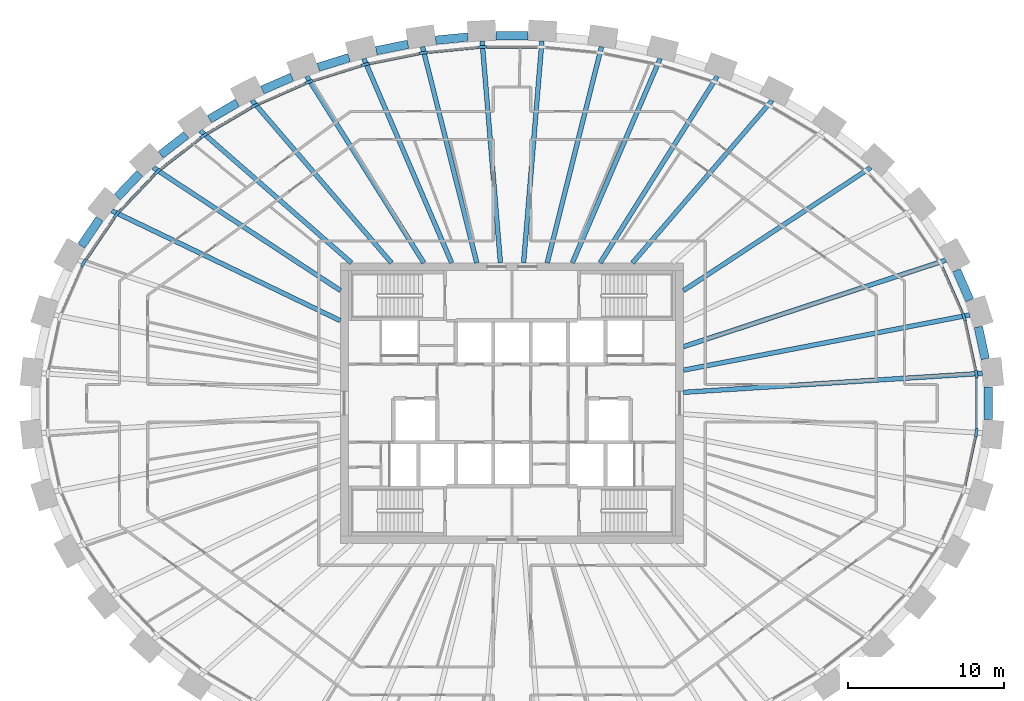
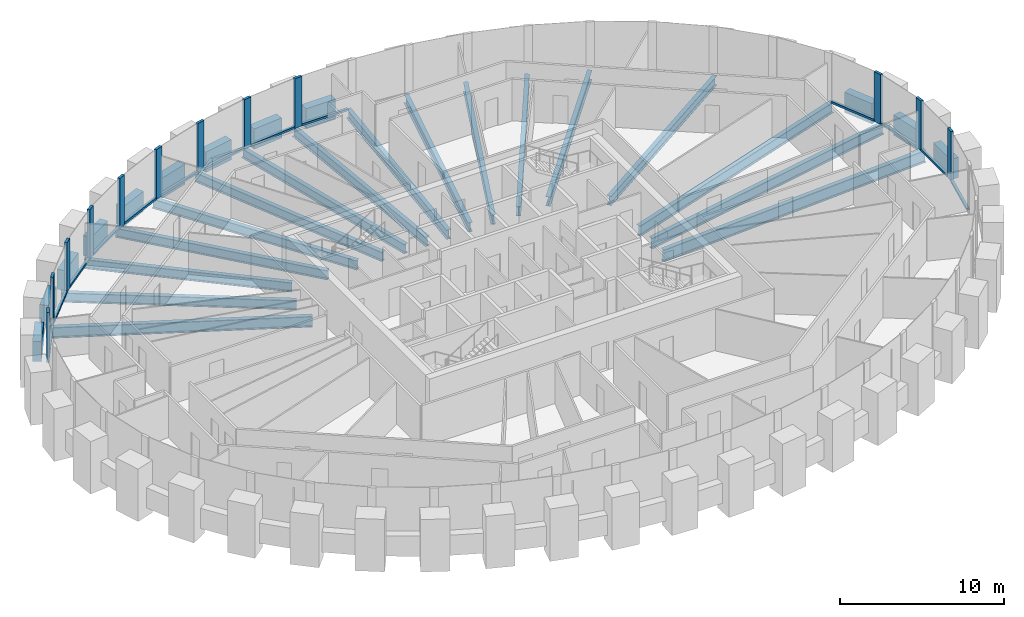
# One storey, part 3 of 12: 29 beams, 25 members, 1 element without a shape of its own.
"""IFC4 building model written with IfcOpenShell, lengths in metres."""

import ifcopenshell
import ifcopenshell.guid

model = None  # the IFC model being written
_history = None  # IfcOwnerHistory: only IFC2X3 demands one
_inside = {}  # id of a spatial element -> (the spatial element, [elements in it])
_under = {}  # id of a project, library or spatial element -> (it, [spatial elements below it])
_declared = {}  # id of a project -> (the project, [libraries it declares])
_typed = {}  # id of a type object -> (the type object, [elements of that type])
_made_of = {}  # id of a material, layer set ... -> (it, [elements and type objects made of it])


def new_model(schema):
    """Start an empty IFC model of exactly this schema.

    Asked for "IFC4X3", IfcOpenShell would pick the latest addendum, in which some entities
    have other attributes; the version numbers below select the first issue.
    IFC2X3 requires an IfcOwnerHistory on every rooted entity: one is made here for all.
    """
    global model, _history
    if schema == "IFC4X3":
        model = ifcopenshell.file(schema_version=(4, 3, 0, 0))
    else:
        model = ifcopenshell.file(schema=schema)
    _inside.clear()
    _under.clear()
    _declared.clear()
    _typed.clear()
    _made_of.clear()
    _history = None
    if model.schema == "IFC2X3":
        org = make("IfcOrganization", Name="unknown")
        user = make(
            "IfcPersonAndOrganization",
            ThePerson=make("IfcPerson", FamilyName="unknown"),
            TheOrganization=org,
        )
        app = make(
            "IfcApplication",
            ApplicationDeveloper=org,
            Version="unknown",
            ApplicationFullName="unknown",
            ApplicationIdentifier="unknown",
        )
        _history = make(
            "IfcOwnerHistory",
            OwningUser=user,
            OwningApplication=app,
            ChangeAction="ADDED",
            CreationDate=0,
        )
    return model


def make(cls, **values):
    """One entity of the class cls with the attributes given. An attribute that is None is left unset."""
    return model.create_entity(
        cls, **{name: value for name, value in values.items() if value is not None}
    )


def rooted(cls, **values):
    """An entity with a GlobalId (a new one), such as an element, a storey or a relation."""
    return make(cls, GlobalId=ifcopenshell.guid.new(), OwnerHistory=_history, **values)


def si_unit(unit_type, name, prefix=None):
    """IfcSIUnit, for example si_unit("LENGTHUNIT", "METRE", prefix="MILLI")."""
    return make("IfcSIUnit", UnitType=unit_type, Prefix=prefix, Name=name)


def assignment(units):
    """IfcUnitAssignment: the units of a project."""
    return None if units is None else make("IfcUnitAssignment", Units=units)


def point(xyz):
    """IfcCartesianPoint."""
    return None if xyz is None else make("IfcCartesianPoint", Coordinates=xyz)


def direction(xyz):
    """IfcDirection."""
    return None if xyz is None else make("IfcDirection", DirectionRatios=xyz)


def frame(location, z_axis=None, x_axis=None):
    """IfcAxis2Placement3D, a coordinate frame: its origin and axes. An axis left out is left unset."""
    return make(
        "IfcAxis2Placement3D",
        Location=point(location),
        Axis=direction(z_axis),
        RefDirection=direction(x_axis),
    )


def frame_2d(location, x_axis=None):
    """IfcAxis2Placement2D, a coordinate frame in the plane: its origin and x axis."""
    return make(
        "IfcAxis2Placement2D", Location=point(location), RefDirection=direction(x_axis)
    )


def origin():
    """The frame at (0, 0, 0) with its axes left unset."""
    return frame((0.0, 0.0, 0.0))


def origin_2d():
    """The frame at (0, 0) in the plane with its x axis left unset."""
    return frame_2d((0.0, 0.0))


def place(relative_to, where):
    """IfcLocalPlacement: puts the frame where relative to a parent placement (None: the world)."""
    return make(
        "IfcLocalPlacement", PlacementRelTo=relative_to, RelativePlacement=where
    )


def context(
    kind, dimensions, precision=None, world=None, true_north=None, identifier=None
):
    """IfcGeometricRepresentationContext, for example the 3D "Model" context."""
    return make(
        "IfcGeometricRepresentationContext",
        ContextIdentifier=identifier,
        ContextType=kind,
        CoordinateSpaceDimension=dimensions,
        Precision=precision,
        WorldCoordinateSystem=world,
        TrueNorth=true_north,
    )


def subcontext(parent, identifier, kind, view, scale=None):
    """IfcGeometricRepresentationSubContext, for example "Body" below "Model"."""
    return make(
        "IfcGeometricRepresentationSubContext",
        ContextIdentifier=identifier,
        ContextType=kind,
        ParentContext=parent,
        TargetScale=scale,
        TargetView=view,
    )


def project(units=None, contexts=None):
    """IfcProject with its units and contexts."""
    return rooted(
        "IfcProject",
        Name="project",
        RepresentationContexts=contexts,
        UnitsInContext=assignment(units),
    )


def spatial(cls, under=None, at=None, **own):
    """A site, building, storey or space (cls), placed at a placement, below another one or the project."""
    s = rooted(cls, ObjectPlacement=at, **own)
    if under is not None:
        _under.setdefault(under.id(), (under, []))[1].append(s)
    return s


def profile(cls, at=None, kind="AREA", **sizes):
    """A parametric profile (cls). Its sizes go by their IFC names, for example OverallWidth=200.0."""
    return make(cls, ProfileType=kind, Position=at, **sizes)


def rectangle(**sizes):
    """IfcRectangleProfileDef."""
    return profile("IfcRectangleProfileDef", **sizes)


def i_section(**sizes):
    """IfcIShapeProfileDef."""
    return profile("IfcIShapeProfileDef", **sizes)


def extrude(swept, where, along, depth):
    """IfcExtrudedAreaSolid: the profile swept, set in the frame where, extruded along a direction by depth."""
    return make(
        "IfcExtrudedAreaSolid",
        SweptArea=swept,
        Position=where,
        ExtrudedDirection=direction(along),
        Depth=depth,
    )


def shape(context_of_items, identifier, shape_type, items):
    """IfcShapeRepresentation: the items that make up one representation, for example the "Body"."""
    return make(
        "IfcShapeRepresentation",
        ContextOfItems=context_of_items,
        RepresentationIdentifier=identifier,
        RepresentationType=shape_type,
        Items=items,
    )


def source(mapping_origin, context_of_items, identifier, shape_type, items):
    """IfcRepresentationMap: a shape defined once, which mapped items show again and again."""
    return make(
        "IfcRepresentationMap",
        MappingOrigin=mapping_origin,
        MappedRepresentation=shape(context_of_items, identifier, shape_type, items),
    )


def transform(
    local_origin,
    x_axis=None,
    y_axis=None,
    z_axis=None,
    scale=None,
    scale2=None,
    scale3=None,
    uniform=True,
):
    """IfcCartesianTransformationOperator3D, or its non-uniform kind. x_axis, y_axis, z_axis: its Axis1, 2, 3."""
    if uniform:
        return make(
            "IfcCartesianTransformationOperator3D",
            Axis1=direction(x_axis),
            Axis2=direction(y_axis),
            LocalOrigin=point(local_origin),
            Scale=scale,
            Axis3=direction(z_axis),
        )
    return make(
        "IfcCartesianTransformationOperator3DnonUniform",
        Axis1=direction(x_axis),
        Axis2=direction(y_axis),
        LocalOrigin=point(local_origin),
        Scale=scale,
        Axis3=direction(z_axis),
        Scale2=scale2,
        Scale3=scale3,
    )


def mapped(mapping_source, mapping_target):
    """IfcMappedItem: shows the shape of a source again, moved by a transform."""
    return make(
        "IfcMappedItem", MappingSource=mapping_source, MappingTarget=mapping_target
    )


def material(Name=None, Category=None):
    """IfcMaterial."""
    return make("IfcMaterial", Name=Name, Category=Category)


def material_profile(
    of_material, cross_section, Name=None, Category=None, Priority=None
):
    """IfcMaterialProfile: a cross section and its material."""
    return make(
        "IfcMaterialProfile",
        Name=Name,
        Material=of_material,
        Profile=cross_section,
        Priority=Priority,
        Category=Category,
    )


def profile_set(profiles, Name=None, composite=None):
    """IfcMaterialProfileSet."""
    return make(
        "IfcMaterialProfileSet",
        Name=Name,
        MaterialProfiles=profiles,
        CompositeProfile=composite,
    )


def made_of(thing, what):
    """Note that an element or type object is made of a material, layer set ...; save() writes the relation."""
    if what is not None:
        _made_of.setdefault(what.id(), (what, []))[1].append(thing)
    return thing


def type_object(cls, material=None, **own):
    """A type object (cls), such as IfcWallType, which elements share."""
    return made_of(rooted(cls, **own), material)


def element(
    cls,
    number,
    at=None,
    inside=None,
    cuts=None,
    type_object=None,
    material=None,
    context=None,
    identifier="Body",
    shape_type=None,
    held_by="IfcProductDefinitionShape",
    body=None,
    shapes=None,
    **own,
):
    """One element of the class cls, such as IfcWall. Its Tag is "e" and its number.

    at: its placement. inside: the storey or other place that contains it. cuts: it is an
    opening in that element (IfcRelVoidsElement). A single representation is given by context,
    identifier, shape_type and body (its items); several are given by shapes. held_by: the class
    of the entity that holds the representations. save() writes the other relations.
    """
    e = rooted(cls, Tag="e%d" % number, ObjectPlacement=at, **own)
    if body is not None:
        shapes = [shape(context, identifier, shape_type, body)]
    if shapes is not None:
        e.Representation = make(held_by, Representations=shapes)
    if inside is not None:
        _inside.setdefault(inside.id(), (inside, []))[1].append(e)
    if cuts is not None:
        rooted(
            "IfcRelVoidsElement", RelatingBuildingElement=cuts, RelatedOpeningElement=e
        )
    if type_object is not None:
        _typed.setdefault(type_object.id(), (type_object, []))[1].append(e)
    return made_of(e, material)


def aggregate(whole, parts):
    """IfcRelAggregates: a whole, such as a stair, and the parts it consists of."""
    return rooted("IfcRelAggregates", RelatingObject=whole, RelatedObjects=parts)


def save(model, path):
    """Write the relations noted so far, then the file.

    IfcRelAggregates (storeys below a building ...), IfcRelContainedInSpatialStructure (elements
    in a storey), IfcRelDefinesByType, IfcRelAssociatesMaterial and IfcRelDeclares: one each for
    every whole, place, type object, material and project.
    """
    for whole, parts in _under.values():
        aggregate(whole, parts)
    for where, things in _inside.values():
        rooted(
            "IfcRelContainedInSpatialStructure",
            RelatedElements=things,
            RelatingStructure=where,
        )
    for kind, things in _typed.values():
        rooted("IfcRelDefinesByType", RelatedObjects=things, RelatingType=kind)
    for what, things in _made_of.values():
        rooted("IfcRelAssociatesMaterial", RelatedObjects=things, RelatingMaterial=what)
    for by, libraries in _declared.values():
        rooted("IfcRelDeclares", RelatingContext=by, RelatedDefinitions=libraries)
    model.write(path)


model = new_model("IFC4")

# Units and contexts
model_context = context("Model", 3, precision=1e-05, world=origin(), true_north=direction((0.0, 1.0)))
body_context = subcontext(model_context, "Body", "Model", "MODEL_VIEW")
ifc_project = project(units=[si_unit("LENGTHUNIT", "METRE"), si_unit("AREAUNIT", "SQUARE_METRE"), si_unit("VOLUMEUNIT", "CUBIC_METRE"), si_unit("PLANEANGLEUNIT", "RADIAN"), si_unit("MASSUNIT", "GRAM", prefix="KILO")], contexts=[model_context])

# Site, building, storey
site_placement = place(None, origin())
site = spatial("IfcSite", under=ifc_project, at=site_placement, CompositionType="ELEMENT")
building_placement = place(site_placement, origin())
building = spatial("IfcBuilding", under=site, at=building_placement, Name="Embergate Tower", CompositionType="ELEMENT")
storey_placement = place(building_placement, frame((0.0, 0.0, 293.5)))
storey = spatial("IfcBuildingStorey", under=building, at=storey_placement, Name="L68", CompositionType="ELEMENT", Elevation=293.5)

# Beams
ifc_material_1 = material(Name="Steel Q355B", Category="steel")
ifc_material_profile_1 = material_profile(ifc_material_1, i_section(OverallWidth=0.300048828125, OverallDepth=0.699951171875, WebThickness=0.012939453125, FlangeThickness=0.02392578125, FilletRadius=0.01806640625, at=origin_2d()), Name="HN 700x300x13x24")
ifc_profile_set_1 = profile_set([ifc_material_profile_1], Name="Steel Q355 grade B")
beam_type_1 = type_object("IfcBeamType", Name="Radial girder HN 700x300x13x24", PredefinedType="BEAM", material=ifc_profile_set_1)
shared_shape_1 = source(origin(), body_context, "Body", "SweptSolid", [
    extrude(i_section(OverallWidth=0.300048828125, OverallDepth=0.699951171875, WebThickness=0.012939453125, FlangeThickness=0.02392578125, FilletRadius=0.01806640625, at=origin_2d()), origin(), (0.0, 0.0, 1.0), 13.742431640625),
])
for number, where, z_axis, x_axis, name in (
    (1, (16.681884765625, 19.426025390625, -0.550048828125), (-0.651474345674, -0.758670664339, 0.0), (0.758670664339, -0.651474345674, 0.0), "GIR-L68-06"),
    (2, (-16.681884765625, 19.426025390625, -0.550048828125), (0.651474345674, -0.758670664339, 0.0), (0.758670664339, 0.651474345674, 0.0), "GIR-L68-15"),
):
    element("IfcBeam", number, at=place(storey_placement, frame(where, z_axis=z_axis, x_axis=x_axis)), inside=storey, type_object=beam_type_1, Name=name, PredefinedType="BEAM", context=body_context, shape_type="MappedRepresentation", body=[
        mapped(shared_shape_1, transform((0.0, 0.0, 0.0))),
    ])
ifc_material_2 = material(Name="Concrete C50", Category="concrete")
ifc_material_profile_2 = material_profile(ifc_material_2, rectangle(XDim=0.550048828125, YDim=1.5, at=origin_2d()), Name="RC 550x1500")
ifc_profile_set_2 = profile_set([ifc_material_profile_2], Name="Concrete C50")
beam_type_2 = type_object("IfcBeamType", Name="Spandrel beam RC 550x1500 C50", PredefinedType="BEAM", material=ifc_profile_set_2)
shared_shape_2 = source(origin(), body_context, "Body", "SweptSolid", [
    extrude(rectangle(XDim=0.550048828125, YDim=1.5, at=origin_2d()), origin(), (0.0, 0.0, 1.0), 2.10107421875),
])
beam_1_placement = place(storey_placement, frame((30.346923828125, 2.841064453125, 0.0), z_axis=(-0.210330547493, 0.977630329312, 0.0), x_axis=(-0.977630329312, -0.210330547493, 0.0)))
element("IfcBeam", 3, at=beam_1_placement, inside=storey, type_object=beam_type_2, Name="SPN-L68-00", PredefinedType="BEAM", context=body_context, shape_type="MappedRepresentation", body=[
    mapped(shared_shape_2, transform((0.0, 0.0, 0.0))),
])
shared_shape_3 = source(origin(), body_context, "Body", "SweptSolid", [
    extrude(rectangle(XDim=0.550048828125, YDim=1.5, at=origin_2d()), origin(), (0.0, 0.0, 1.0), 2.097900390625),
])
beam_2_placement = place(storey_placement, frame((29.35107421875, 6.60791015625, 0.0), z_axis=(-0.401825860592, 0.91571610107, 0.0), x_axis=(-0.91571610107, -0.401825860592, 0.0)))
element("IfcBeam", 4, at=beam_2_placement, inside=storey, type_object=beam_type_2, Name="SPN-L68-01", PredefinedType="BEAM", context=body_context, shape_type="MappedRepresentation", body=[
    mapped(shared_shape_3, transform((0.0, 0.0, 0.0))),
])
shared_shape_4 = source(origin(), body_context, "Body", "SweptSolid", [
    extrude(rectangle(XDim=0.550048828125, YDim=1.5, at=origin_2d()), origin(), (0.0, 0.0, 1.0), 2.09033203125),
])
beam_3_placement = place(storey_placement, frame((-26.444091796875, 11.822998046875, 0.0), z_axis=(-0.562009695033, -0.827130644269, 0.0), x_axis=(0.827130644269, -0.562009695033, 0.0)))
element("IfcBeam", 5, at=beam_3_placement, inside=storey, type_object=beam_type_2, Name="SPN-L68-18", PredefinedType="BEAM", context=body_context, shape_type="MappedRepresentation", body=[
    mapped(shared_shape_4, transform((0.0, 0.0, 0.0))),
])
shared_shape_5 = source(origin(), body_context, "Body", "SweptSolid", [
    extrude(rectangle(XDim=0.550048828125, YDim=1.5, at=origin_2d()), origin(), (0.0, 0.0, 1.0), 2.08447265625),
])
beam_4_placement = place(storey_placement, frame((-23.8740234375, 14.73095703125, 0.0), z_axis=(-0.690339235394, -0.72348582576, 0.0), x_axis=(0.72348582576, -0.690339235394, 0.0)))
element("IfcBeam", 6, at=beam_4_placement, inside=storey, type_object=beam_type_2, Name="SPN-L68-17", PredefinedType="BEAM", context=body_context, shape_type="MappedRepresentation", body=[
    mapped(shared_shape_5, transform((0.0, 0.0, 0.0))),
])
shared_shape_6 = source(origin(), body_context, "Body", "SweptSolid", [
    extrude(rectangle(XDim=0.550048828125, YDim=1.5, at=origin_2d()), origin(), (0.0, 0.0, 1.0), 2.0791015625),
])
beam_5_placement = place(storey_placement, frame((-20.887939453125, 17.2041015625, 0.0), z_axis=(-0.788383845435, -0.615183641084, 0.0), x_axis=(0.615183641084, -0.788383845435, 0.0)))
element("IfcBeam", 7, at=beam_5_placement, inside=storey, type_object=beam_type_2, Name="SPN-L68-16", PredefinedType="BEAM", context=body_context, shape_type="MappedRepresentation", body=[
    mapped(shared_shape_6, transform((0.0, 0.0, 0.0))),
])
shared_shape_7 = source(origin(), body_context, "Body", "SweptSolid", [
    extrude(rectangle(XDim=0.550048828125, YDim=1.5, at=origin_2d()), origin(), (0.0, 0.0, 1.0), 2.074462890625),
])
beam_6_placement = place(storey_placement, frame((-17.611083984375, 19.26806640625, 0.0), z_axis=(-0.861864620017, -0.507138419726, 0.0), x_axis=(0.507138419726, -0.861864620017, 0.0)))
element("IfcBeam", 8, at=beam_6_placement, inside=storey, type_object=beam_type_2, Name="SPN-L68-15", PredefinedType="BEAM", context=body_context, shape_type="MappedRepresentation", body=[
    mapped(shared_shape_7, transform((0.0, 0.0, 0.0))),
])
shared_shape_8 = source(origin(), body_context, "Body", "SweptSolid", [
    extrude(rectangle(XDim=0.550048828125, YDim=1.5, at=origin_2d()), origin(), (0.0, 0.0, 1.0), 2.073486328125),
])
beam_7_placement = place(storey_placement, frame((-14.10791015625, 20.916015625, 0.0), z_axis=(-0.91637608024, -0.400318472673, 0.0), x_axis=(0.400318472673, -0.91637608024, 0.0)))
element("IfcBeam", 9, at=beam_7_placement, inside=storey, type_object=beam_type_2, Name="SPN-L68-14", PredefinedType="BEAM", context=body_context, shape_type="MappedRepresentation", body=[
    mapped(shared_shape_8, transform((0.0, 0.0, 0.0))),
])
shared_shape_9 = source(origin(), body_context, "Body", "SweptSolid", [
    extrude(rectangle(XDim=0.550048828125, YDim=1.5, at=origin_2d()), origin(), (0.0, 0.0, 1.0), 2.07080078125),
])
beam_8_placement = place(storey_placement, frame((-10.445068359375, 22.160888671875, 0.0), z_axis=(-0.954735561173, -0.297455892917, 0.0), x_axis=(0.297455892917, -0.954735561173, 0.0)))
element("IfcBeam", 10, at=beam_8_placement, inside=storey, type_object=beam_type_2, Name="SPN-L68-13", PredefinedType="BEAM", context=body_context, shape_type="MappedRepresentation", body=[
    mapped(shared_shape_9, transform((0.0, 0.0, 0.0))),
])
shared_shape_10 = source(origin(), body_context, "Body", "SweptSolid", [
    extrude(rectangle(XDim=0.550048828125, YDim=1.5, at=origin_2d()), origin(), (0.0, 0.0, 1.0), 2.070556640625),
])
beam_9_placement = place(storey_placement, frame((-6.6708984375, 23.013916015625, 0.0), z_axis=(-0.980398860457, -0.197023030165, 0.0), x_axis=(0.197023030165, -0.980398860457, 0.0)))
element("IfcBeam", 11, at=beam_9_placement, inside=storey, type_object=beam_type_2, Name="SPN-L68-12", PredefinedType="BEAM", context=body_context, shape_type="MappedRepresentation", body=[
    mapped(shared_shape_10, transform((0.0, 0.0, 0.0))),
])
shared_shape_11 = source(origin(), body_context, "Body", "SweptSolid", [
    extrude(rectangle(XDim=0.550048828125, YDim=1.5, at=origin_2d()), origin(), (0.0, 0.0, 1.0), 2.06884765625),
])
beam_10_placement = place(storey_placement, frame((-2.83203125, 23.48095703125, 0.0), z_axis=(-0.995226952233, -0.097587466149, 0.0), x_axis=(0.097587466149, -0.995226952233, 0.0)))
element("IfcBeam", 12, at=beam_10_placement, inside=storey, type_object=beam_type_2, Name="SPN-L68-11", PredefinedType="BEAM", context=body_context, shape_type="MappedRepresentation", body=[
    mapped(shared_shape_11, transform((0.0, 0.0, 0.0))),
])
shared_shape_12 = source(origin(), body_context, "Body", "SweptSolid", [
    extrude(rectangle(XDim=0.550048828125, YDim=1.5, at=origin_2d()), origin(), (0.0, 0.0, 1.0), 2.06982421875),
])
beam_11_placement = place(storey_placement, frame((1.034912109375, 23.569091796875, 0.0), z_axis=(-1.0, 0.0, 0.0), x_axis=(0.0, -1.0, 0.0)))
element("IfcBeam", 13, at=beam_11_placement, inside=storey, type_object=beam_type_2, Name="SPN-L68-10", PredefinedType="BEAM", context=body_context, shape_type="MappedRepresentation", body=[
    mapped(shared_shape_12, transform((0.0, 0.0, 0.0))),
])
shared_shape_13 = source(origin(), body_context, "Body", "SweptSolid", [
    extrude(rectangle(XDim=0.550048828125, YDim=1.5, at=origin_2d()), origin(), (0.0, 0.0, 1.0), 2.10205078125),
])
beam_12_placement = place(storey_placement, frame((30.5380859375, -1.051025390625, 0.0), z_axis=(0.0, 1.0, 0.0), x_axis=(-1.0, 0.0, 0.0)))
element("IfcBeam", 14, at=beam_12_placement, inside=storey, type_object=beam_type_2, Name="SPN-L68-43", PredefinedType="BEAM", context=body_context, shape_type="MappedRepresentation", body=[
    mapped(shared_shape_13, transform((0.0, 0.0, 0.0))),
])
ifc_material_profile_3 = material_profile(ifc_material_1, i_section(OverallWidth=0.300048828125, OverallDepth=0.89990234375, WebThickness=0.01611328125, FlangeThickness=0.028076171875, FilletRadius=0.028076171875, at=origin_2d()), Name="HN 900x300x16x28")
ifc_profile_set_3 = profile_set([ifc_material_profile_3], Name="Steel Q355 grade B")
beam_type_3 = type_object("IfcBeamType", Name="Radial girder HN 900x300x16x28", PredefinedType="BEAM", material=ifc_profile_set_3)
shared_shape_14 = source(origin(), body_context, "Body", "SweptSolid", [
    extrude(i_section(OverallWidth=0.300048828125, OverallDepth=0.89990234375, WebThickness=0.01611328125, FlangeThickness=0.028076171875, FilletRadius=0.028076171875, at=origin_2d()), origin(), (0.0, 0.0, 1.0), 19.20166015625),
])
beam_13_placement = place(storey_placement, frame((30.1630859375, 1.916015625, -0.64990234375), z_axis=(-0.997989342147, -0.063381960844, 0.0), x_axis=(0.063381960844, -0.997989342147, 0.0)))
element("IfcBeam", 15, at=beam_13_placement, inside=storey, type_object=beam_type_3, Name="GIR-L68-00", PredefinedType="BEAM", context=body_context, shape_type="MappedRepresentation", body=[
    mapped(shared_shape_14, transform((0.0, 0.0, 0.0))),
])
ifc_material_profile_4 = material_profile(ifc_material_1, i_section(OverallWidth=0.300048828125, OverallDepth=0.800048828125, WebThickness=0.013916015625, FlangeThickness=0.02587890625, FilletRadius=0.028076171875, at=origin_2d()), Name="HN 800x300x14x26")
ifc_profile_set_4 = profile_set([ifc_material_profile_4], Name="Steel Q355 grade B")
beam_type_4 = type_object("IfcBeamType", Name="Radial girder HN 800x300x14x26", PredefinedType="BEAM", material=ifc_profile_set_4)
shared_shape_15 = source(origin(), body_context, "Body", "SweptSolid", [
    extrude(i_section(OverallWidth=0.300048828125, OverallDepth=0.800048828125, WebThickness=0.013916015625, FlangeThickness=0.02587890625, FilletRadius=0.028076171875, at=origin_2d()), origin(), (0.0, 0.0, 1.0), 18.6943359375),
])
beam_14_placement = place(storey_placement, frame((29.35595703125, 5.6630859375, -0.60009765625), z_axis=(-0.981896924723, -0.189416021549, 0.0), x_axis=(0.189416021549, -0.981896924723, 0.0)))
element("IfcBeam", 16, at=beam_14_placement, inside=storey, type_object=beam_type_4, Name="GIR-L68-01", PredefinedType="BEAM", context=body_context, shape_type="MappedRepresentation", body=[
    mapped(shared_shape_15, transform((0.0, 0.0, 0.0))),
])
shared_shape_16 = source(origin(), body_context, "Body", "SweptSolid", [
    extrude(i_section(OverallWidth=0.300048828125, OverallDepth=0.800048828125, WebThickness=0.013916015625, FlangeThickness=0.02587890625, FilletRadius=0.028076171875, at=origin_2d()), origin(), (0.0, 0.0, 1.0), 17.70703125),
])
beam_15_placement = place(storey_placement, frame((27.81591796875, 9.174072265625, -0.60009765625), z_axis=(-0.949680910183, -0.313219042897, 0.0), x_axis=(0.313219042897, -0.949680910183, 0.0)))
element("IfcBeam", 17, at=beam_15_placement, inside=storey, type_object=beam_type_4, Name="GIR-L68-02", PredefinedType="BEAM", context=body_context, shape_type="MappedRepresentation", body=[
    mapped(shared_shape_16, transform((0.0, 0.0, 0.0))),
])
shared_shape_17 = source(origin(), body_context, "Body", "SweptSolid", [
    extrude(i_section(OverallWidth=0.300048828125, OverallDepth=0.800048828125, WebThickness=0.013916015625, FlangeThickness=0.02587890625, FilletRadius=0.028076171875, at=origin_2d()), origin(), (0.0, 0.0, 1.0), 16.268310546875),
])
beam_16_placement = place(storey_placement, frame((-25.659912109375, 12.344970703125, -0.60009765625), z_axis=(0.901133717561, -0.433541258791, 0.0), x_axis=(0.433541258791, 0.901133717561, 0.0)))
element("IfcBeam", 18, at=beam_16_placement, inside=storey, type_object=beam_type_4, Name="GIR-L68-18", PredefinedType="BEAM", context=body_context, shape_type="MappedRepresentation", body=[
    mapped(shared_shape_17, transform((0.0, 0.0, 0.0))),
])
shared_shape_18 = source(origin(), body_context, "Body", "SweptSolid", [
    extrude(i_section(OverallWidth=0.300048828125, OverallDepth=0.699951171875, WebThickness=0.012939453125, FlangeThickness=0.02392578125, FilletRadius=0.01806640625, at=origin_2d()), origin(), (0.0, 0.0, 1.0), 14.3740234375),
])
for number, where, z_axis, x_axis, name in (
    (19, (23.012939453125, 15.1201171875, -0.550048828125), (-0.835742226811, -0.549121963069, 0.0), (0.549121963069, -0.835742226811, 0.0), "GIR-L68-04"),
    (20, (-23.012939453125, 15.1201171875, -0.550048828125), (0.835742226811, -0.549121963069, 0.0), (0.549121963069, 0.835742226811, 0.0), "GIR-L68-17"),
):
    element("IfcBeam", number, at=place(storey_placement, frame(where, z_axis=z_axis, x_axis=x_axis)), inside=storey, type_object=beam_type_1, Name=name, PredefinedType="BEAM", context=body_context, shape_type="MappedRepresentation", body=[
        mapped(shared_shape_18, transform((0.0, 0.0, 0.0))),
    ])
shared_shape_19 = source(origin(), body_context, "Body", "SweptSolid", [
    extrude(i_section(OverallWidth=0.300048828125, OverallDepth=0.699951171875, WebThickness=0.012939453125, FlangeThickness=0.02392578125, FilletRadius=0.01806640625, at=origin_2d()), origin(), (0.0, 0.0, 1.0), 12.88330078125),
])
beam_17_placement = place(storey_placement, frame((-19.989013671875, 17.48095703125, -0.550048828125), z_axis=(0.752760969036, -0.658293949157, 0.0), x_axis=(0.658293949157, 0.752760969036, 0.0)))
element("IfcBeam", 21, at=beam_17_placement, inside=storey, type_object=beam_type_1, Name="GIR-L68-16", PredefinedType="BEAM", context=body_context, shape_type="MappedRepresentation", body=[
    mapped(shared_shape_19, transform((0.0, 0.0, 0.0))),
])
shared_shape_20 = source(origin(), body_context, "Body", "SweptSolid", [
    extrude(i_section(OverallWidth=0.300048828125, OverallDepth=0.699951171875, WebThickness=0.012939453125, FlangeThickness=0.02392578125, FilletRadius=0.01806640625, at=origin_2d()), origin(), (0.0, 0.0, 1.0), 14.126953125),
])
for number, where, z_axis, x_axis, name in (
    (22, (13.166015625, 20.962890625, -0.550048828125), (-0.531886600535, -0.846815590416, 0.0), (0.846815590416, -0.531886600535, 0.0), "GIR-L68-07"),
    (23, (-13.166015625, 20.962890625, -0.550048828125), (0.531886600535, -0.846815590416, 0.0), (0.846815590416, 0.531886600535, 0.0), "GIR-L68-14"),
):
    element("IfcBeam", number, at=place(storey_placement, frame(where, z_axis=z_axis, x_axis=x_axis)), inside=storey, type_object=beam_type_1, Name=name, PredefinedType="BEAM", context=body_context, shape_type="MappedRepresentation", body=[
        mapped(shared_shape_20, transform((0.0, 0.0, 0.0))),
    ])
shared_shape_21 = source(origin(), body_context, "Body", "SweptSolid", [
    extrude(i_section(OverallWidth=0.300048828125, OverallDepth=0.699951171875, WebThickness=0.012939453125, FlangeThickness=0.02392578125, FilletRadius=0.01806640625, at=origin_2d()), origin(), (0.0, 0.0, 1.0), 14.263427734375),
])
for number, where, z_axis, x_axis, name in (
    (24, (9.501953125, 22.10400390625, -0.550048828125), (-0.394929229866, -0.918711545262, 0.0), (0.918711545262, -0.394929229866, 0.0), "GIR-L68-08"),
    (25, (-9.501953125, 22.10400390625, -0.550048828125), (0.394929229866, -0.918711545262, 0.0), (0.918711545262, 0.394929229866, 0.0), "GIR-L68-13"),
):
    element("IfcBeam", number, at=place(storey_placement, frame(where, z_axis=z_axis, x_axis=x_axis)), inside=storey, type_object=beam_type_1, Name=name, PredefinedType="BEAM", context=body_context, shape_type="MappedRepresentation", body=[
        mapped(shared_shape_21, transform((0.0, 0.0, 0.0))),
    ])
shared_shape_22 = source(origin(), body_context, "Body", "SweptSolid", [
    extrude(i_section(OverallWidth=0.300048828125, OverallDepth=0.699951171875, WebThickness=0.012939453125, FlangeThickness=0.02392578125, FilletRadius=0.01806640625, at=origin_2d()), origin(), (0.0, 0.0, 1.0), 14.288818359375),
])
for number, where, z_axis, x_axis, name in (
    (26, (5.738037109375, 22.85888671875, -0.550048828125), (-0.243476248961, -0.969906859545, 0.0), (0.969906859545, -0.243476248961, 0.0), "GIR-L68-09"),
    (27, (-5.738037109375, 22.85888671875, -0.550048828125), (0.243476248961, -0.969906859545, 0.0), (0.969906859545, 0.243476248961, 0.0), "GIR-L68-12"),
):
    element("IfcBeam", number, at=place(storey_placement, frame(where, z_axis=z_axis, x_axis=x_axis)), inside=storey, type_object=beam_type_1, Name=name, PredefinedType="BEAM", context=body_context, shape_type="MappedRepresentation", body=[
        mapped(shared_shape_22, transform((0.0, 0.0, 0.0))),
    ])
shared_shape_23 = source(origin(), body_context, "Body", "SweptSolid", [
    extrude(i_section(OverallWidth=0.300048828125, OverallDepth=0.699951171875, WebThickness=0.012939453125, FlangeThickness=0.02392578125, FilletRadius=0.01806640625, at=origin_2d()), origin(), (0.0, 0.0, 1.0), 14.282470703125),
])
for number, where, z_axis, x_axis, name in (
    (28, (1.9189453125, 23.23388671875, -0.550048828125), (-0.082340957712, -0.996604217673, 0.0), (0.996604217673, -0.082340957712, 0.0), "GIR-L68-10"),
    (29, (-1.9189453125, 23.23388671875, -0.550048828125), (0.082340957712, -0.996604217673, 0.0), (0.996604217673, 0.082340957712, 0.0), "GIR-L68-11"),
):
    element("IfcBeam", number, at=place(storey_placement, frame(where, z_axis=z_axis, x_axis=x_axis)), inside=storey, type_object=beam_type_1, Name=name, PredefinedType="BEAM", context=body_context, shape_type="MappedRepresentation", body=[
        mapped(shared_shape_23, transform((0.0, 0.0, 0.0))),
    ])

# Curtain wall, members
ifc_material_3 = material(Name="Aluminium and glass", Category="aluminium")
curtain_wall_type = type_object("IfcCurtainWallType", Name="Recessed office glazing", PredefinedType="NOTDEFINED", material=ifc_material_3)
curtain_wall_placement = place(storey_placement, origin())
curtain_wall = element("IfcCurtainWall", 30, at=curtain_wall_placement, inside=storey, type_object=curtain_wall_type, Name="Recessed office glazing ring", ObjectType="RECESSED OFFICE GLAZING", PredefinedType="USERDEFINED")
ifc_material_4 = material(Name="Aluminium, thermally broken", Category="aluminium")
ifc_material_profile_5 = material_profile(ifc_material_4, rectangle(XDim=0.179931640625, YDim=0.52001953125, at=origin_2d()), Name="AL 520x180")
ifc_profile_set_5 = profile_set([ifc_material_profile_5], Name="Aluminium, thermally broken")
member_type_1 = type_object("IfcMemberType", Name="Office mullion", PredefinedType="MULLION", material=ifc_profile_set_5)
shared_shape_24 = source(origin(), body_context, "Body", "SweptSolid", [
    extrude(rectangle(XDim=0.179931640625, YDim=0.52001953125, at=origin_2d()), origin(), (0.0, 0.0, 1.0), 3.699951171875),
])
member_1_placement = place(storey_placement, frame((29.774658203125, 1.87451171875, 0.0), z_axis=(0.0, 0.0, 1.0), x_axis=(-0.994384215926, -0.105830199459, 0.0)))
member_1 = element("IfcMember", 31, at=member_1_placement, type_object=member_type_1, Name="CW mullion 1", PredefinedType="MULLION", context=body_context, shape_type="MappedRepresentation", body=[
    mapped(shared_shape_24, transform((0.0, 0.0, 0.0))),
])
member_2_placement = place(storey_placement, frame((28.985107421875, 5.5419921875, 0.0), z_axis=(0.0, 0.0, 1.0), x_axis=(-0.951493502218, -0.307668840212, 0.0)))
member_2 = element("IfcMember", 32, at=member_2_placement, type_object=member_type_1, Name="CW mullion 2", PredefinedType="MULLION", context=body_context, shape_type="MappedRepresentation", body=[
    mapped(shared_shape_24, transform((0.0, 0.0, 0.0))),
])
member_3_placement = place(storey_placement, frame((-1.89990234375, 22.844482421875, 0.0), z_axis=(0.0, 0.0, 1.0), x_axis=(0.048971796621, -0.998800161762, 0.0)))
member_3 = element("IfcMember", 33, at=member_3_placement, type_object=member_type_1, Name="CW mullion 12", PredefinedType="MULLION", context=body_context, shape_type="MappedRepresentation", body=[
    mapped(shared_shape_24, transform((0.0, 0.0, 0.0))),
])
member_4_placement = place(storey_placement, frame((-5.68115234375, 22.472900390625, 0.0), z_axis=(0.0, 0.0, 1.0), x_axis=(0.147412382818, -0.989075118174, 0.0)))
member_4 = element("IfcMember", 34, at=member_4_placement, type_object=member_type_1, Name="CW mullion 13", PredefinedType="MULLION", context=body_context, shape_type="MappedRepresentation", body=[
    mapped(shared_shape_24, transform((0.0, 0.0, 0.0))),
])
member_5_placement = place(storey_placement, frame((-9.405029296875, 21.72607421875, 0.0), z_axis=(0.0, 0.0, 1.0), x_axis=(0.24731188137, -0.968935928394, 0.0)))
member_5 = element("IfcMember", 35, at=member_5_placement, type_object=member_type_1, Name="CW mullion 14", PredefinedType="MULLION", context=body_context, shape_type="MappedRepresentation", body=[
    mapped(shared_shape_24, transform((0.0, 0.0, 0.0))),
])
member_6_placement = place(storey_placement, frame((-13.029541015625, 20.597412109375, 0.0), z_axis=(0.0, 0.0, 1.0), x_axis=(0.349501047589, -0.936935973124, 0.0)))
member_6 = element("IfcMember", 36, at=member_6_placement, type_object=member_type_1, Name="CW mullion 15", PredefinedType="MULLION", context=body_context, shape_type="MappedRepresentation", body=[
    mapped(shared_shape_24, transform((0.0, 0.0, 0.0))),
])
member_7_placement = place(storey_placement, frame((-16.504638671875, 19.077880859375, 0.0), z_axis=(0.0, 0.0, 1.0), x_axis=(0.454508271251, -0.890742516872, 0.0)))
member_7 = element("IfcMember", 37, at=member_7_placement, type_object=member_type_1, Name="CW mullion 16", PredefinedType="MULLION", context=body_context, shape_type="MappedRepresentation", body=[
    mapped(shared_shape_24, transform((0.0, 0.0, 0.0))),
])
member_8_placement = place(storey_placement, frame((-19.770263671875, 17.15771484375, 0.0), z_axis=(0.0, 0.0, 1.0), x_axis=(0.562211845055, -0.826993253467, 0.0)))
member_8 = element("IfcMember", 38, at=member_8_placement, type_object=member_type_1, Name="CW mullion 17", PredefinedType="MULLION", context=body_context, shape_type="MappedRepresentation", body=[
    mapped(shared_shape_24, transform((0.0, 0.0, 0.0))),
])
member_9_placement = place(storey_placement, frame((-22.752197265625, 14.83056640625, 0.0), z_axis=(0.0, 0.0, 1.0), x_axis=(0.671220065284, -0.741258135847, 0.0)))
member_9 = element("IfcMember", 39, at=member_9_placement, type_object=member_type_1, Name="CW mullion 18", PredefinedType="MULLION", context=body_context, shape_type="MappedRepresentation", body=[
    mapped(shared_shape_24, transform((0.0, 0.0, 0.0))),
])
member_10_placement = place(storey_placement, frame((-25.357421875, 12.098388671875, 0.0), z_axis=(0.0, 0.0, 1.0), x_axis=(0.777863789852, -0.628432911643, 0.0)))
member_10 = element("IfcMember", 40, at=member_10_placement, type_object=member_type_1, Name="CW mullion 19", PredefinedType="MULLION", context=body_context, shape_type="MappedRepresentation", body=[
    mapped(shared_shape_24, transform((0.0, 0.0, 0.0))),
])
member_11_placement = place(storey_placement, frame((-27.4755859375, 8.983642578125, 0.0), z_axis=(0.0, 0.0, 1.0), x_axis=(0.87499344622, -0.484134763338, 0.0)))
member_11 = element("IfcMember", 41, at=member_11_placement, type_object=member_type_1, Name="CW mullion 20", PredefinedType="MULLION", context=body_context, shape_type="MappedRepresentation", body=[
    mapped(shared_shape_24, transform((0.0, 0.0, 0.0))),
])
member_12_placement = place(storey_placement, frame((29.774658203125, -1.87451171875, 0.0), z_axis=(0.0, 0.0, 1.0), x_axis=(-0.994384215926, 0.105830199459, 0.0)))
member_12 = element("IfcMember", 42, at=member_12_placement, type_object=member_type_1, Name="CW mullion 44", PredefinedType="MULLION", context=body_context, shape_type="MappedRepresentation", body=[
    mapped(shared_shape_24, transform((0.0, 0.0, 0.0))),
])
ifc_material_profile_6 = material_profile(ifc_material_4, rectangle(XDim=0.179931640625, YDim=0.14990234375, at=origin_2d()), Name="AL 150x180")
ifc_profile_set_6 = profile_set([ifc_material_profile_6], Name="Aluminium, thermally broken")
member_type_2 = type_object("IfcMemberType", Name="Office sill transom", PredefinedType="USERDEFINED", material=ifc_profile_set_6)
shared_shape_25 = source(origin(), body_context, "Body", "SweptSolid", [
    extrude(rectangle(XDim=0.179931640625, YDim=0.14990234375, at=origin_2d()), origin(), (0.0, 0.0, 1.0), 3.2314453125),
])
member_13_placement = place(storey_placement, frame((29.7197265625, 2.128662109375, 0.074951171875), z_axis=(-0.210406118874, 0.977614067585, 0.0), x_axis=(-0.977614067585, -0.210406118874, 0.0)))
member_13 = element("IfcMember", 43, at=member_13_placement, type_object=member_type_2, Name="CW transom 1.1", ObjectType="TRANSOM", PredefinedType="USERDEFINED", context=body_context, shape_type="MappedRepresentation", body=[
    mapped(shared_shape_25, transform((0.0, 0.0, 0.0))),
])
member_14_placement = place(storey_placement, frame((29.039794921875, -5.287841796875, 0.074951171875), z_axis=(0.210406118874, 0.977614067585, 0.0), x_axis=(-0.977614067585, 0.210406118874, 0.0)))
member_14 = element("IfcMember", 44, at=member_14_placement, type_object=member_type_2, Name="CW transom 43.1", ObjectType="TRANSOM", PredefinedType="USERDEFINED", context=body_context, shape_type="MappedRepresentation", body=[
    mapped(shared_shape_25, transform((0.0, 0.0, 0.0))),
])
shared_shape_26 = source(origin(), body_context, "Body", "SweptSolid", [
    extrude(rectangle(XDim=0.179931640625, YDim=0.14990234375, at=origin_2d()), origin(), (0.0, 0.0, 1.0), 3.23828125),
])
member_15_placement = place(storey_placement, frame((28.880859375, 5.780029296875, 0.074951171875), z_axis=(-0.401684789579, 0.915777991557, 0.0), x_axis=(-0.915777991557, -0.401684789579, 0.0)))
member_15 = element("IfcMember", 45, at=member_15_placement, type_object=member_type_2, Name="CW transom 2.1", ObjectType="TRANSOM", PredefinedType="USERDEFINED", context=body_context, shape_type="MappedRepresentation", body=[
    mapped(shared_shape_26, transform((0.0, 0.0, 0.0))),
])
shared_shape_27 = source(origin(), body_context, "Body", "SweptSolid", [
    extrude(rectangle(XDim=0.179931640625, YDim=0.14990234375, at=origin_2d()), origin(), (0.0, 0.0, 1.0), 3.246826171875),
])
member_16_placement = place(storey_placement, frame((-25.503662109375, 11.883544921875, 0.074951171875), z_axis=(-0.562363493995, -0.826890138182, 0.0), x_axis=(0.826890138182, -0.562363493995, 0.0)))
member_16 = element("IfcMember", 46, at=member_16_placement, type_object=member_type_2, Name="CW transom 19.1", ObjectType="TRANSOM", PredefinedType="USERDEFINED", context=body_context, shape_type="MappedRepresentation", body=[
    mapped(shared_shape_27, transform((0.0, 0.0, 0.0))),
])
shared_shape_28 = source(origin(), body_context, "Body", "SweptSolid", [
    extrude(rectangle(XDim=0.179931640625, YDim=0.14990234375, at=origin_2d()), origin(), (0.0, 0.0, 1.0), 3.255126953125),
])
member_17_placement = place(storey_placement, frame((-22.931640625, 14.642333984375, 0.074951171875), z_axis=(-0.690106396673, -0.723707925389, 0.0), x_axis=(0.723707925389, -0.690106396673, 0.0)))
member_17 = element("IfcMember", 47, at=member_17_placement, type_object=member_type_2, Name="CW transom 18.1", ObjectType="TRANSOM", PredefinedType="USERDEFINED", context=body_context, shape_type="MappedRepresentation", body=[
    mapped(shared_shape_28, transform((0.0, 0.0, 0.0))),
])
shared_shape_29 = source(origin(), body_context, "Body", "SweptSolid", [
    extrude(rectangle(XDim=0.179931640625, YDim=0.14990234375, at=origin_2d()), origin(), (0.0, 0.0, 1.0), 3.262451171875),
])
member_18_placement = place(storey_placement, frame((-19.975341796875, 16.997802734375, 0.074951171875), z_axis=(-0.788303389344, -0.615286735066, 0.0), x_axis=(0.615286735066, -0.788303389344, 0.0)))
member_18 = element("IfcMember", 48, at=member_18_placement, type_object=member_type_2, Name="CW transom 17.1", ObjectType="TRANSOM", PredefinedType="USERDEFINED", context=body_context, shape_type="MappedRepresentation", body=[
    mapped(shared_shape_29, transform((0.0, 0.0, 0.0))),
])
shared_shape_30 = source(origin(), body_context, "Body", "SweptSolid", [
    extrude(rectangle(XDim=0.179931640625, YDim=0.14990234375, at=origin_2d()), origin(), (0.0, 0.0, 1.0), 3.268310546875),
])
member_19_placement = place(storey_placement, frame((-16.728759765625, 18.946044921875, 0.074951171875), z_axis=(-0.862039813646, -0.506840566342, 0.0), x_axis=(0.506840566342, -0.862039813646, 0.0)))
member_19 = element("IfcMember", 49, at=member_19_placement, type_object=member_type_2, Name="CW transom 16.1", ObjectType="TRANSOM", PredefinedType="USERDEFINED", context=body_context, shape_type="MappedRepresentation", body=[
    mapped(shared_shape_30, transform((0.0, 0.0, 0.0))),
])
shared_shape_31 = source(origin(), body_context, "Body", "SweptSolid", [
    extrude(rectangle(XDim=0.179931640625, YDim=0.14990234375, at=origin_2d()), origin(), (0.0, 0.0, 1.0), 3.27294921875),
])
member_20_placement = place(storey_placement, frame((-13.267578125, 20.4931640625, 0.074951171875), z_axis=(-0.91623435737, -0.400642736582, 0.0), x_axis=(0.400642736582, -0.91623435737, 0.0)))
member_20 = element("IfcMember", 50, at=member_20_placement, type_object=member_type_2, Name="CW transom 15.1", ObjectType="TRANSOM", PredefinedType="USERDEFINED", context=body_context, shape_type="MappedRepresentation", body=[
    mapped(shared_shape_31, transform((0.0, 0.0, 0.0))),
])
shared_shape_32 = source(origin(), body_context, "Body", "SweptSolid", [
    extrude(rectangle(XDim=0.179931640625, YDim=0.14990234375, at=origin_2d()), origin(), (0.0, 0.0, 1.0), 3.276123046875),
])
member_21_placement = place(storey_placement, frame((-9.6533203125, 21.648681640625, 0.074951171875), z_axis=(-0.954771243255, -0.297341340976, 0.0), x_axis=(0.297341340976, -0.954771243255, 0.0)))
member_21 = element("IfcMember", 51, at=member_21_placement, type_object=member_type_2, Name="CW transom 14.1", ObjectType="TRANSOM", PredefinedType="USERDEFINED", context=body_context, shape_type="MappedRepresentation", body=[
    mapped(shared_shape_32, transform((0.0, 0.0, 0.0))),
])
shared_shape_33 = source(origin(), body_context, "Body", "SweptSolid", [
    extrude(rectangle(XDim=0.179931640625, YDim=0.14990234375, at=origin_2d()), origin(), (0.0, 0.0, 1.0), 3.278076171875),
])
member_22_placement = place(storey_placement, frame((-5.93603515625, 22.421875, 0.074951171875), z_axis=(-0.98046593112, -0.196688987777, 0.0), x_axis=(0.196688987777, -0.98046593112, 0.0)))
member_22 = element("IfcMember", 52, at=member_22_placement, type_object=member_type_2, Name="CW transom 13.1", ObjectType="TRANSOM", PredefinedType="USERDEFINED", context=body_context, shape_type="MappedRepresentation", body=[
    mapped(shared_shape_33, transform((0.0, 0.0, 0.0))),
])
shared_shape_34 = source(origin(), body_context, "Body", "SweptSolid", [
    extrude(rectangle(XDim=0.179931640625, YDim=0.14990234375, at=origin_2d()), origin(), (0.0, 0.0, 1.0), 3.279296875),
])
member_23_placement = place(storey_placement, frame((-2.15869140625, 22.819091796875, 0.074951171875), z_axis=(-0.995203828947, -0.097822997549, 0.0), x_axis=(0.097822997549, -0.995203828947, 0.0)))
member_23 = element("IfcMember", 53, at=member_23_placement, type_object=member_type_2, Name="CW transom 12.1", ObjectType="TRANSOM", PredefinedType="USERDEFINED", context=body_context, shape_type="MappedRepresentation", body=[
    mapped(shared_shape_34, transform((0.0, 0.0, 0.0))),
])
shared_shape_35 = source(origin(), body_context, "Body", "SweptSolid", [
    extrude(rectangle(XDim=0.179931640625, YDim=0.14990234375, at=origin_2d()), origin(), (0.0, 0.0, 1.0), 3.27978515625),
])
member_24_placement = place(storey_placement, frame((1.639892578125, 22.844482421875, 0.074951171875), z_axis=(-1.0, 0.0, 0.0), x_axis=(0.0, -1.0, 0.0)))
member_24 = element("IfcMember", 54, at=member_24_placement, type_object=member_type_2, Name="CW transom 11.1", ObjectType="TRANSOM", PredefinedType="USERDEFINED", context=body_context, shape_type="MappedRepresentation", body=[
    mapped(shared_shape_35, transform((0.0, 0.0, 0.0))),
])
shared_shape_36 = source(origin(), body_context, "Body", "SweptSolid", [
    extrude(rectangle(XDim=0.179931640625, YDim=0.14990234375, at=origin_2d()), origin(), (0.0, 0.0, 1.0), 3.22900390625),
])
member_25_placement = place(storey_placement, frame((29.774658203125, -1.614501953125, 0.074951171875), z_axis=(0.0, 1.0, 0.0), x_axis=(-1.0, 0.0, 0.0)))
member_25 = element("IfcMember", 55, at=member_25_placement, type_object=member_type_2, Name="CW transom 44.1", ObjectType="TRANSOM", PredefinedType="USERDEFINED", context=body_context, shape_type="MappedRepresentation", body=[
    mapped(shared_shape_36, transform((0.0, 0.0, 0.0))),
])
aggregate(curtain_wall, [member_1, member_2, member_3, member_4, member_5, member_6, member_7, member_8, member_9, member_10, member_11, member_12, member_13, member_15, member_24, member_23, member_22, member_21, member_20, member_19, member_18, member_17, member_16, member_14, member_25])

save(model, "model.ifc")
